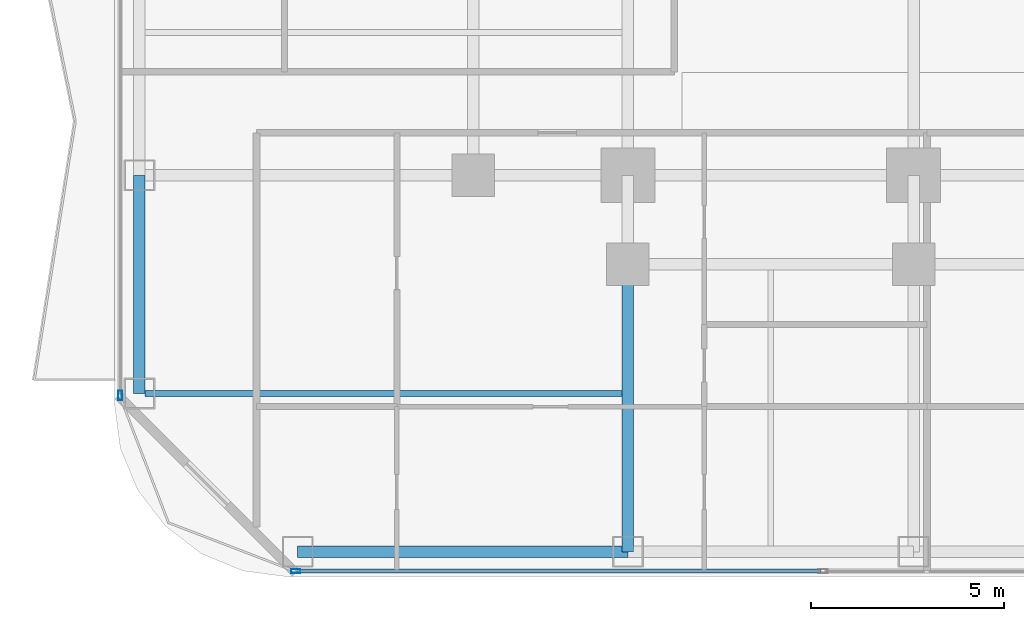
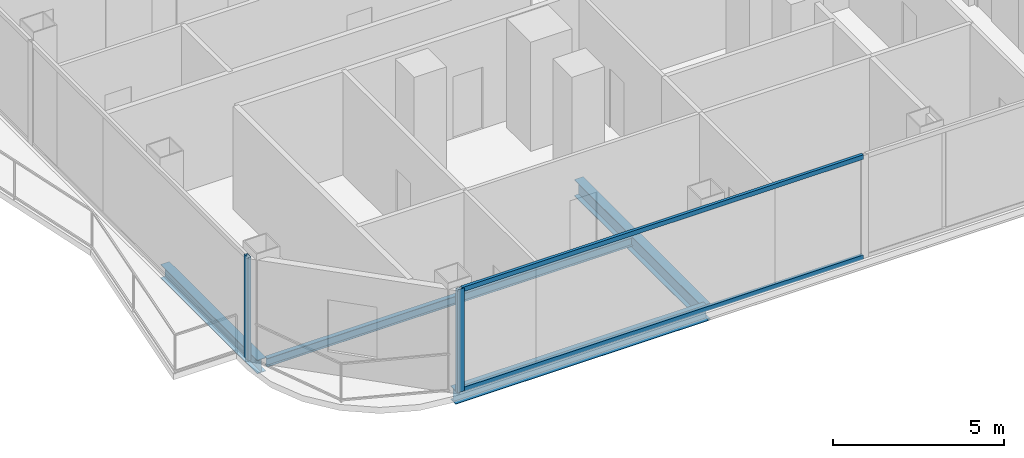
# One storey, part 2 of 29: 4 beams, 4 members, 2 elements without a shape of their own.
"""IFC4 building model written with IfcOpenShell, lengths in metres."""

from ifc_helpers import new_model, si_unit, direction, frame, origin, origin_2d, place, context, subcontext, project, spatial, hollow_rectangle, i_section, extrude, material, layer, layer_set, material_profile, profile_set, type_object, element, aggregate, save


model = new_model("IFC4")

# Units and contexts
model_context = context("Model", 3, precision=1e-05, world=origin(), true_north=direction((0.0, 1.0)))
body_context = subcontext(model_context, "Body", "Model", "MODEL_VIEW")
ifc_project = project(units=[si_unit("LENGTHUNIT", "METRE"), si_unit("AREAUNIT", "SQUARE_METRE"), si_unit("VOLUMEUNIT", "CUBIC_METRE"), si_unit("PLANEANGLEUNIT", "RADIAN"), si_unit("MASSUNIT", "GRAM", prefix="KILO")], contexts=[model_context])

# Site, building, storey
site_placement = place(None, origin())
site = spatial("IfcSite", under=ifc_project, at=site_placement, CompositionType="ELEMENT")
building_placement = place(site_placement, origin())
building = spatial("IfcBuilding", under=site, at=building_placement, Name="Khorvyn Point Tower", CompositionType="ELEMENT")
storey_placement = place(building_placement, frame((0.0, 0.0, 69.60009765625)))
storey = spatial("IfcBuildingStorey", under=building, at=storey_placement, Name="L18", CompositionType="ELEMENT", Elevation=69.60009765625)

# Curtain wall, member
ifc_material_1 = material(Name="Anodised aluminium 6063-T6 and laminated Low-E glass", Category="aluminium")
ifc_layer = layer(ifc_material_1, 0.18994140625)
ifc_layer_set = layer_set([ifc_layer], Name="Stick-Built Finned Residential Curtain Wall CW-SYS-02")
curtain_wall_type = type_object("IfcCurtainWallType", Name="Stick-Built Finned Residential Curtain Wall CW-SYS-02", PredefinedType="NOTDEFINED", material=ifc_layer_set)
curtain_wall_1_placement = place(storey_placement, origin())
curtain_wall_1 = element("IfcCurtainWall", 1, at=curtain_wall_1_placement, inside=storey, type_object=curtain_wall_type, Name="Curtain Wall", PredefinedType="NOTDEFINED")
ifc_material_2 = material(Name="Anodised aluminium 6063-T6", Category="aluminium")
ifc_material_profile_1 = material_profile(ifc_material_2, hollow_rectangle(XDim=0.10009765625, YDim=0.239990234375, WallThickness=0.0048828125, at=origin_2d()))
ifc_profile_set_1 = profile_set([ifc_material_profile_1], Name="Anodised aluminium 6063-T6 ALU-MUL-100x240")
member_type_1 = type_object("IfcMemberType", Name="Anodised Aluminium 6063-T6 Mullion ALU-MUL-100x240", PredefinedType="MULLION", material=ifc_profile_set_1)
member_1_placement = place(storey_placement, frame((-23.39990234375, -25.050048828125, 0.0), z_axis=(0.0, 0.0, 1.0), x_axis=(0.0, -1.0, 0.0)))
member_1 = element("IfcMember", 2, at=member_1_placement, type_object=member_type_1, Name="Transom", PredefinedType="MULLION", context=body_context, shape_type="SweptSolid", body=[
    extrude(hollow_rectangle(XDim=0.10009765625, YDim=0.239990234375, WallThickness=0.0048828125, at=origin_2d()), origin(), (0.0, 0.0, 1.0), 3.679931640625),
])

curtain_wall_2_placement = place(storey_placement, origin())
curtain_wall_2 = element("IfcCurtainWall", 3, at=curtain_wall_2_placement, inside=storey, type_object=curtain_wall_type, Name="Curtain Wall", PredefinedType="NOTDEFINED")
member_2_placement = place(storey_placement, frame((-27.949951171875, -20.5, 0.0), z_axis=(0.0, 0.0, 1.0), x_axis=(-1.0, 0.0, 0.0)))
member_2 = element("IfcMember", 4, at=member_2_placement, type_object=member_type_1, Name="Transom", PredefinedType="MULLION", context=body_context, shape_type="SweptSolid", body=[
    extrude(hollow_rectangle(XDim=0.10009765625, YDim=0.239990234375, WallThickness=0.0048828125, at=origin_2d()), origin(), (0.0, 0.0, 1.0), 3.679931640625),
])
aggregate(curtain_wall_2, [member_2])

# Member
ifc_material_profile_2 = material_profile(ifc_material_2, hollow_rectangle(XDim=0.10009765625, YDim=0.159912109375, WallThickness=0.00439453125, at=origin_2d()))
ifc_profile_set_2 = profile_set([ifc_material_profile_2], Name="Anodised aluminium 6063-T6 ALU-TRN-100x160")
member_type_2 = type_object("IfcMemberType", Name="Anodised Aluminium 6063-T6 Transom ALU-TRN-100x160", PredefinedType="USERDEFINED", material=ifc_profile_set_2)
member_3_placement = place(storey_placement, frame((-9.800048828125, -25.050048828125, 0.0498046875), z_axis=(-1.0, 0.0, 0.0), x_axis=(0.0, -1.0, 0.0)))
member_3 = element("IfcMember", 5, at=member_3_placement, type_object=member_type_2, Name="Transom", ObjectType="TRANSOM", PredefinedType="USERDEFINED", context=body_context, shape_type="SweptSolid", body=[
    extrude(hollow_rectangle(XDim=0.10009765625, YDim=0.159912109375, WallThickness=0.00439453125, at=origin_2d()), origin(), (0.0, 0.0, 1.0), 13.550048828125),
])

member_4_placement = place(storey_placement, frame((-9.800048828125, -25.050048828125, 3.6298828125), z_axis=(-1.0, 0.0, 0.0), x_axis=(0.0, -1.0, 0.0)))
member_4 = element("IfcMember", 6, at=member_4_placement, type_object=member_type_2, Name="Transom", ObjectType="TRANSOM", PredefinedType="USERDEFINED", context=body_context, shape_type="SweptSolid", body=[
    extrude(hollow_rectangle(XDim=0.10009765625, YDim=0.159912109375, WallThickness=0.00439453125, at=origin_2d()), origin(), (0.0, 0.0, 1.0), 13.550048828125),
])

aggregate(curtain_wall_1, [member_1, member_3, member_4])

# Beams
ifc_material_3 = material(Name="Steel S355", Category="steel")
ifc_material_profile_3 = material_profile(ifc_material_3, i_section(OverallWidth=0.300048828125, OverallDepth=0.587890625, WebThickness=0.011962890625, FlangeThickness=0.02001953125, at=origin_2d()))
ifc_profile_set_3 = profile_set([ifc_material_profile_3], Name="Steel S355 H588x300x12x20")
beam_type_1 = type_object("IfcBeamType", Name="Steel S355 Beam H588x300x12x20", PredefinedType="BEAM", material=ifc_profile_set_3)
beam_1_placement = place(storey_placement, frame((-14.800048828125, -24.550048828125, -0.51416015625), z_axis=(0.0, 1.0, 0.0), x_axis=(-1.0, 0.0, 0.0)))
element("IfcBeam", 7, at=beam_1_placement, inside=storey, type_object=beam_type_1, Name="Beam", PredefinedType="BEAM", context=body_context, shape_type="SweptSolid", body=[
    extrude(i_section(OverallWidth=0.300048828125, OverallDepth=0.587890625, WebThickness=0.011962890625, FlangeThickness=0.02001953125, at=origin_2d()), origin(), (0.0, 0.0, 1.0), 7.449951171875),
])
ifc_material_profile_4 = material_profile(ifc_material_3, i_section(OverallWidth=0.14990234375, OverallDepth=0.300048828125, WebThickness=0.006591796875, FlangeThickness=0.009033203125, at=origin_2d()))
ifc_profile_set_4 = profile_set([ifc_material_profile_4], Name="Steel S355 H300x150x6.5x9")
beam_type_2 = type_object("IfcBeamType", Name="Steel S355 Joist H300x150x6.5x9", PredefinedType="JOIST", material=ifc_profile_set_4)
beam_2_placement = place(storey_placement, frame((-27.300048828125, -20.449951171875, -0.3701171875), z_axis=(1.0, 0.0, 0.0), x_axis=(0.0, 1.0, 0.0)))
element("IfcBeam", 8, at=beam_2_placement, inside=storey, type_object=beam_type_2, Name="Beam", PredefinedType="JOIST", context=body_context, shape_type="SweptSolid", body=[
    extrude(i_section(OverallWidth=0.14990234375, OverallDepth=0.300048828125, WebThickness=0.006591796875, FlangeThickness=0.009033203125, at=origin_2d()), origin(), (0.0, 0.0, 1.0), 12.35009765625),
])
ifc_material_profile_5 = material_profile(ifc_material_3, i_section(OverallWidth=0.300048828125, OverallDepth=0.488037109375, WebThickness=0.010986328125, FlangeThickness=0.01806640625, at=origin_2d()))
ifc_profile_set_5 = profile_set([ifc_material_profile_5], Name="Steel S355 H488x300x11x18")
beam_type_3 = type_object("IfcBeamType", Name="Steel S355 Spandrel H488x300x11x18", PredefinedType="SPANDREL", material=ifc_profile_set_5)
beam_3_placement = place(storey_placement, frame((-23.35009765625, -24.550048828125, -0.464111328125), z_axis=(1.0, 0.0, 0.0), x_axis=(0.0, 1.0, 0.0)))
element("IfcBeam", 9, at=beam_3_placement, inside=storey, type_object=beam_type_3, Name="Beam", PredefinedType="SPANDREL", context=body_context, shape_type="SweptSolid", body=[
    extrude(i_section(OverallWidth=0.300048828125, OverallDepth=0.488037109375, WebThickness=0.010986328125, FlangeThickness=0.01806640625, at=origin_2d()), origin(), (0.0, 0.0, 1.0), 8.550048828125),
])
beam_4_placement = place(storey_placement, frame((-27.449951171875, -20.449951171875, -0.464111328125), z_axis=(0.0, 1.0, 0.0), x_axis=(-1.0, 0.0, 0.0)))
element("IfcBeam", 10, at=beam_4_placement, inside=storey, type_object=beam_type_3, Name="Beam", PredefinedType="SPANDREL", context=body_context, shape_type="SweptSolid", body=[
    extrude(i_section(OverallWidth=0.300048828125, OverallDepth=0.488037109375, WebThickness=0.010986328125, FlangeThickness=0.01806640625, at=origin_2d()), origin(), (0.0, 0.0, 1.0), 5.64990234375),
])

save(model, "model.ifc")
